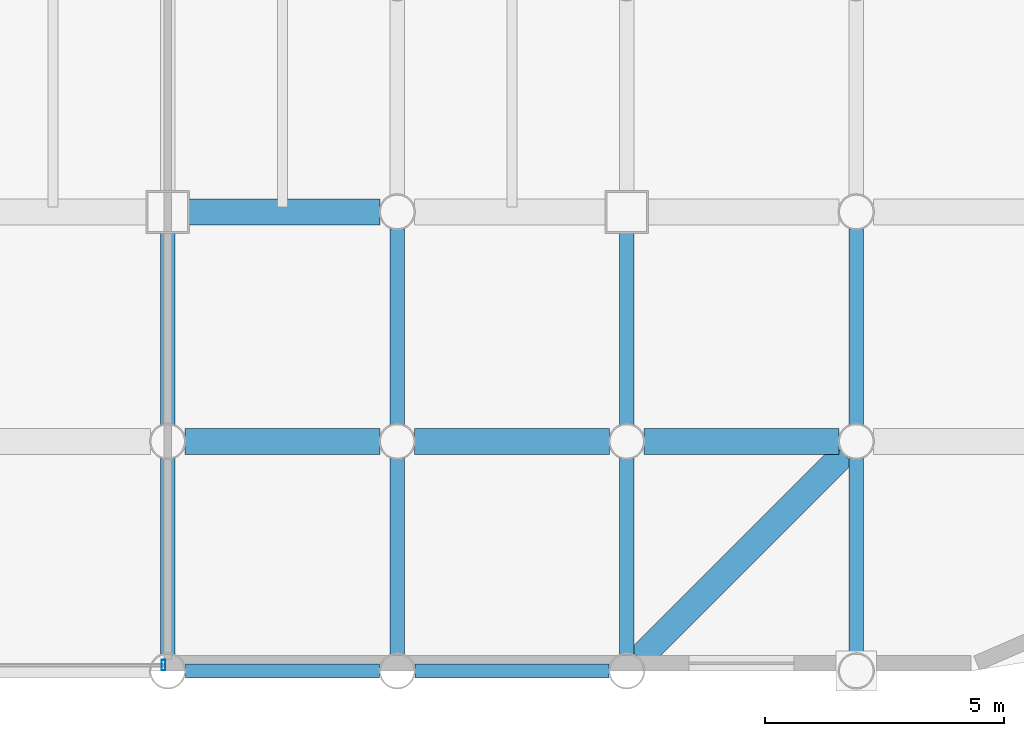
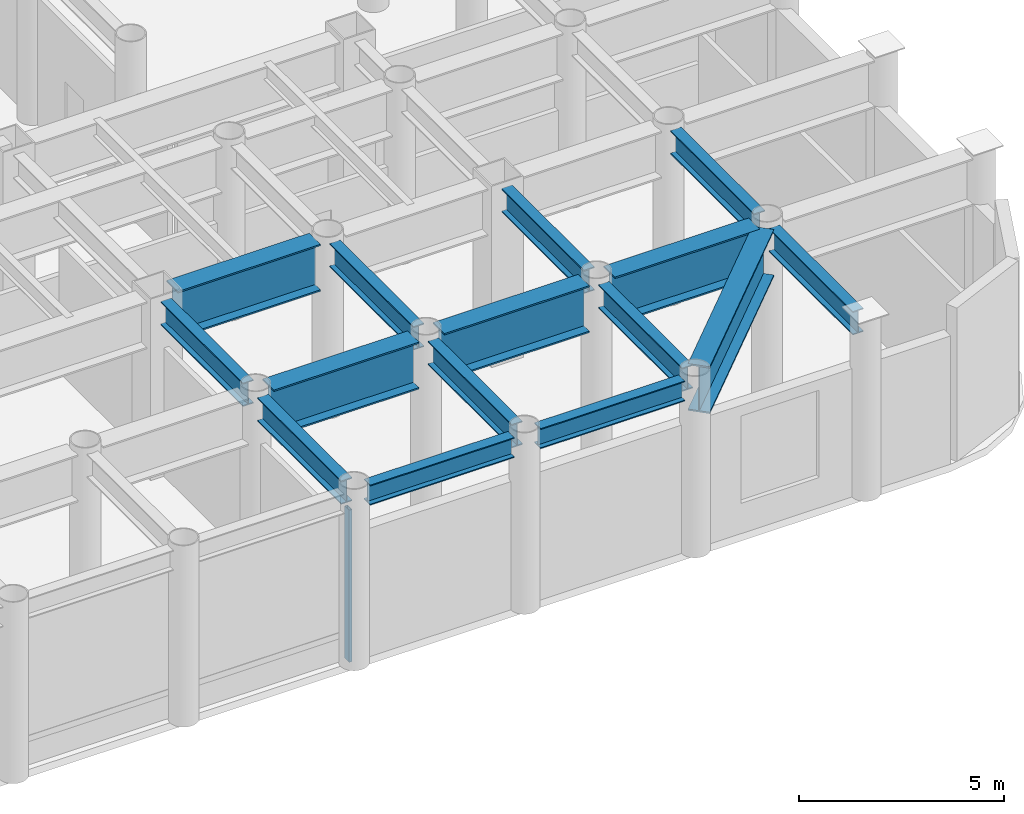
# One storey, part 6 of 20: 15 beams, 1 member, 1 element without a shape of its own.
"""IFC4 building model written with IfcOpenShell, lengths in metres."""

from ifc_helpers import new_model, si_unit, direction, frame, origin, origin_2d, place, context, subcontext, project, spatial, hollow_rectangle, i_section, extrude, material, layer, layer_set, material_profile, profile_set, type_object, element, aggregate, save


model = new_model("IFC4")

# Units and contexts
model_context = context("Model", 3, precision=1e-05, world=origin(), true_north=direction((0.0, 1.0)))
body_context = subcontext(model_context, "Body", "Model", "MODEL_VIEW")
ifc_project = project(units=[si_unit("LENGTHUNIT", "METRE"), si_unit("AREAUNIT", "SQUARE_METRE"), si_unit("VOLUMEUNIT", "CUBIC_METRE"), si_unit("PLANEANGLEUNIT", "RADIAN"), si_unit("MASSUNIT", "GRAM", prefix="KILO")], contexts=[model_context])

# Site, building, storey
site_placement = place(None, origin())
site = spatial("IfcSite", under=ifc_project, at=site_placement, CompositionType="ELEMENT")
building_placement = place(site_placement, origin())
building = spatial("IfcBuilding", under=site, at=building_placement, Name="Kallvorn Hotel Tower", CompositionType="ELEMENT")
storey_placement = place(building_placement, frame((0.0, 0.0, 24.60009765625)))
storey = spatial("IfcBuildingStorey", under=building, at=storey_placement, Name="L04", CompositionType="ELEMENT", Elevation=24.60009765625)

# Beams
ifc_material_1 = material(Name="Structural steel S355JR", Category="steel")
ifc_material_profile_1 = material_profile(ifc_material_1, i_section(OverallWidth=0.300048828125, OverallDepth=0.60009765625, WebThickness=0.015380859375, FlangeThickness=0.030029296875, at=origin_2d()), Name="HE 600 B")
ifc_profile_set_1 = profile_set([ifc_material_profile_1], Name="Structural steel S355JR")
beam_type_1 = type_object("IfcBeamType", Name="BM_HE600B", PredefinedType="SPANDREL", material=ifc_profile_set_1)
beam_1_placement = place(storey_placement, frame((14.77099609375, -24.0, 4.919921875), z_axis=(1.0, 0.0, 0.0), x_axis=(0.0, 1.0, 0.0)))
element("IfcBeam", 1, at=beam_1_placement, inside=storey, type_object=beam_type_1, Name="L05 Perimeter Spandrel 189", PredefinedType="SPANDREL", context=body_context, shape_type="SweptSolid", body=[
    extrude(i_section(OverallWidth=0.300048828125, OverallDepth=0.60009765625, WebThickness=0.015380859375, FlangeThickness=0.030029296875, at=origin_2d()), origin(), (0.0, 0.0, 1.0), 4.05810546875),
])
beam_2_placement = place(storey_placement, frame((19.571044921875, -24.0, 4.919921875), z_axis=(1.0, 0.0, 0.0), x_axis=(0.0, 1.0, 0.0)))
element("IfcBeam", 2, at=beam_2_placement, inside=storey, type_object=beam_type_1, Name="L05 Perimeter Spandrel 190", PredefinedType="SPANDREL", context=body_context, shape_type="SweptSolid", body=[
    extrude(i_section(OverallWidth=0.300048828125, OverallDepth=0.60009765625, WebThickness=0.015380859375, FlangeThickness=0.030029296875, at=origin_2d()), origin(), (0.0, 0.0, 1.0), 4.057861328125),
])
ifc_material_2 = material(Name="Structural steel S355JR", Category="steel")
ifc_material_profile_2 = material_profile(ifc_material_2, i_section(OverallWidth=0.300048828125, OverallDepth=0.699951171875, WebThickness=0.01708984375, FlangeThickness=0.031982421875, at=origin_2d()), Name="HE 700 B")
ifc_profile_set_2 = profile_set([ifc_material_profile_2], Name="Structural steel S355JR")
beam_type_2 = type_object("IfcBeamType", Name="BM_HE700B", PredefinedType="BEAM", material=ifc_profile_set_2)
beam_3_placement = place(storey_placement, frame((14.39990234375, -23.64404296875, 4.869873046875), z_axis=(0.0, 1.0, 0.0), x_axis=(-1.0, 0.0, 0.0)))
element("IfcBeam", 3, at=beam_3_placement, inside=storey, type_object=beam_type_2, Name="L05 Primary Y-Girder 146", PredefinedType="BEAM", context=body_context, shape_type="SweptSolid", body=[
    extrude(i_section(OverallWidth=0.300048828125, OverallDepth=0.699951171875, WebThickness=0.01708984375, FlangeThickness=0.031982421875, at=origin_2d()), origin(), (0.0, 0.0, 1.0), 4.088134765625),
])
beam_4_placement = place(storey_placement, frame((14.39990234375, -18.843994140625, 4.869873046875), z_axis=(0.0, 1.0, 0.0), x_axis=(-1.0, 0.0, 0.0)))
element("IfcBeam", 4, at=beam_4_placement, inside=storey, type_object=beam_type_2, Name="L05 Primary Y-Girder 147", PredefinedType="BEAM", context=body_context, shape_type="SweptSolid", body=[
    extrude(i_section(OverallWidth=0.300048828125, OverallDepth=0.699951171875, WebThickness=0.01708984375, FlangeThickness=0.031982421875, at=origin_2d()), origin(), (0.0, 0.0, 1.0), 4.01904296875),
])
beam_5_placement = place(storey_placement, frame((19.199951171875, -23.64404296875, 4.869873046875), z_axis=(0.0, 1.0, 0.0), x_axis=(-1.0, 0.0, 0.0)))
element("IfcBeam", 5, at=beam_5_placement, inside=storey, type_object=beam_type_2, Name="L05 Primary Y-Girder 152", PredefinedType="BEAM", context=body_context, shape_type="SweptSolid", body=[
    extrude(i_section(OverallWidth=0.300048828125, OverallDepth=0.699951171875, WebThickness=0.01708984375, FlangeThickness=0.031982421875, at=origin_2d()), origin(), (0.0, 0.0, 1.0), 4.088134765625),
])
beam_6_placement = place(storey_placement, frame((19.199951171875, -18.843994140625, 4.869873046875), z_axis=(0.0, 1.0, 0.0), x_axis=(-1.0, 0.0, 0.0)))
element("IfcBeam", 6, at=beam_6_placement, inside=storey, type_object=beam_type_2, Name="L05 Primary Y-Girder 153", PredefinedType="BEAM", context=body_context, shape_type="SweptSolid", body=[
    extrude(i_section(OverallWidth=0.300048828125, OverallDepth=0.699951171875, WebThickness=0.01708984375, FlangeThickness=0.031982421875, at=origin_2d()), origin(), (0.0, 0.0, 1.0), 4.087890625),
])
beam_7_placement = place(storey_placement, frame((24.0, -23.64404296875, 4.869873046875), z_axis=(0.0, 1.0, 0.0), x_axis=(-1.0, 0.0, 0.0)))
element("IfcBeam", 7, at=beam_7_placement, inside=storey, type_object=beam_type_2, Name="L05 Primary Y-Girder 162", PredefinedType="BEAM", context=body_context, shape_type="SweptSolid", body=[
    extrude(i_section(OverallWidth=0.300048828125, OverallDepth=0.699951171875, WebThickness=0.01708984375, FlangeThickness=0.031982421875, at=origin_2d()), origin(), (0.0, 0.0, 1.0), 4.088134765625),
])
beam_8_placement = place(storey_placement, frame((24.0, -18.843994140625, 4.869873046875), z_axis=(0.0, 1.0, 0.0), x_axis=(-1.0, 0.0, 0.0)))
element("IfcBeam", 8, at=beam_8_placement, inside=storey, type_object=beam_type_2, Name="L05 Primary Y-Girder 163", PredefinedType="BEAM", context=body_context, shape_type="SweptSolid", body=[
    extrude(i_section(OverallWidth=0.300048828125, OverallDepth=0.699951171875, WebThickness=0.01708984375, FlangeThickness=0.031982421875, at=origin_2d()), origin(), (0.0, 0.0, 1.0), 4.01904296875),
])
beam_9_placement = place(storey_placement, frame((28.800048828125, -23.64404296875, 4.869873046875), z_axis=(0.0, 1.0, 0.0), x_axis=(-1.0, 0.0, 0.0)))
element("IfcBeam", 9, at=beam_9_placement, inside=storey, type_object=beam_type_2, Name="L05 Primary Y-Girder 170", PredefinedType="BEAM", context=body_context, shape_type="SweptSolid", body=[
    extrude(i_section(OverallWidth=0.300048828125, OverallDepth=0.699951171875, WebThickness=0.01708984375, FlangeThickness=0.031982421875, at=origin_2d()), origin(), (0.0, 0.0, 1.0), 4.088134765625),
])
beam_10_placement = place(storey_placement, frame((28.800048828125, -18.843994140625, 4.869873046875), z_axis=(0.0, 1.0, 0.0), x_axis=(-1.0, 0.0, 0.0)))
element("IfcBeam", 10, at=beam_10_placement, inside=storey, type_object=beam_type_2, Name="L05 Primary Y-Girder 171", PredefinedType="BEAM", context=body_context, shape_type="SweptSolid", body=[
    extrude(i_section(OverallWidth=0.300048828125, OverallDepth=0.699951171875, WebThickness=0.01708984375, FlangeThickness=0.031982421875, at=origin_2d()), origin(), (0.0, 0.0, 1.0), 4.087890625),
])
ifc_material_3 = material(Name="Structural steel S355JR", Category="steel")
ifc_material_profile_3 = material_profile(ifc_material_3, i_section(OverallWidth=0.550048828125, OverallDepth=1.39990234375, WebThickness=0.02490234375, FlangeThickness=0.044921875, at=origin_2d()), Name="PG 1400x550x25x45")
ifc_profile_set_3 = profile_set([ifc_material_profile_3], Name="Structural steel S355JR")
beam_type_3 = type_object("IfcBeamType", Name="BM_PG_1400", PredefinedType="BEAM", material=ifc_profile_set_3)
beam_11_placement = place(storey_placement, frame((14.756103515625, -19.199951171875, 4.52001953125), z_axis=(1.0, 0.0, 0.0), x_axis=(0.0, 1.0, 0.0)))
element("IfcBeam", 11, at=beam_11_placement, inside=storey, type_object=beam_type_3, Name="L05 Primary X-Girder 19", PredefinedType="BEAM", context=body_context, shape_type="SweptSolid", body=[
    extrude(i_section(OverallWidth=0.550048828125, OverallDepth=1.39990234375, WebThickness=0.02490234375, FlangeThickness=0.044921875, at=origin_2d()), origin(), (0.0, 0.0, 1.0), 4.087890625),
])
for number, where, z_axis, x_axis, name in (
    (12, (19.555908203125, -19.199951171875, 4.52001953125), (1.0, 0.0, 0.0), (0.0, 1.0, 0.0), "L05 Primary X-Girder 20"),
    (13, (24.35595703125, -19.199951171875, 4.52001953125), (1.0, 0.0, 0.0), (0.0, 1.0, 0.0), "L05 Primary X-Girder 21"),
):
    element("IfcBeam", number, at=place(storey_placement, frame(where, z_axis=z_axis, x_axis=x_axis)), inside=storey, type_object=beam_type_3, Name=name, PredefinedType="BEAM", context=body_context, shape_type="SweptSolid", body=[
        extrude(i_section(OverallWidth=0.550048828125, OverallDepth=1.39990234375, WebThickness=0.02490234375, FlangeThickness=0.044921875, at=origin_2d()), origin(), (0.0, 0.0, 1.0), 4.088134765625),
    ])
beam_12_placement = place(storey_placement, frame((14.824951171875, -14.39990234375, 4.52001953125), z_axis=(1.0, 0.0, 0.0), x_axis=(0.0, 1.0, 0.0)))
element("IfcBeam", 14, at=beam_12_placement, inside=storey, type_object=beam_type_3, Name="L05 Primary X-Girder 30", PredefinedType="BEAM", context=body_context, shape_type="SweptSolid", body=[
    extrude(i_section(OverallWidth=0.550048828125, OverallDepth=1.39990234375, WebThickness=0.02490234375, FlangeThickness=0.044921875, at=origin_2d()), origin(), (0.0, 0.0, 1.0), 4.01904296875),
])
beam_13_placement = place(storey_placement, frame((28.53759765625, -19.46240234375, 4.52001953125), z_axis=(-0.707106781187, -0.707106781187, 0.0), x_axis=(0.707106781187, -0.707106781187, 0.0)))
element("IfcBeam", 15, at=beam_13_placement, inside=storey, type_object=beam_type_3, Name="L05 Rounded Corner Tie Beam 220", PredefinedType="BEAM", context=body_context, shape_type="SweptSolid", body=[
    extrude(i_section(OverallWidth=0.550048828125, OverallDepth=1.39990234375, WebThickness=0.02490234375, FlangeThickness=0.044921875, at=origin_2d()), origin(), (0.0, 0.0, 1.0), 6.04638671875),
])

# Curtain wall, member
ifc_material_4 = material(Name="Thermally broken black-anodised aluminium AA 6063-T6", Category="aluminium")
ifc_layer = layer(ifc_material_4, 0.219970703125)
ifc_layer_set = layer_set([ifc_layer], Name="CW_SYS_2_PODIUM_CASC")
curtain_wall_type = type_object("IfcCurtainWallType", Name="CW_SYS_2_PODIUM_CASC", PredefinedType="USERDEFINED", material=ifc_layer_set)
curtain_wall_placement = place(storey_placement, origin())
curtain_wall = element("IfcCurtainWall", 16, at=curtain_wall_placement, inside=storey, type_object=curtain_wall_type, Name="L04 Dark-Glass Curtain Wall CW-L04-S3", ObjectType="UNITISED CURTAIN WALL", PredefinedType="USERDEFINED")
ifc_material_5 = material(Name="Thermally broken black-anodised aluminium AA 6063-T6", Category="aluminium")
ifc_material_profile_4 = material_profile(ifc_material_5, hollow_rectangle(XDim=0.080078125, YDim=0.219970703125, WallThickness=0.0048828125, at=origin_2d()), Name="MUL 220x80")
ifc_profile_set_4 = profile_set([ifc_material_profile_4], Name="Thermally broken black-anodised aluminium AA 6063-T6")
member_type = type_object("IfcMemberType", Name="CW_MULLION_220x80", PredefinedType="MULLION", material=ifc_profile_set_4)
member_placement = place(storey_placement, frame((14.31005859375, -23.8798828125, 0.02001953125), z_axis=(0.0, 0.0, 1.0), x_axis=(1.0, 0.0, 0.0)))
member = element("IfcMember", 17, at=member_placement, type_object=member_type, Name="CW-L04-S3 Mullion 01", PredefinedType="MULLION", context=body_context, shape_type="SweptSolid", body=[
    extrude(hollow_rectangle(XDim=0.080078125, YDim=0.219970703125, WallThickness=0.0048828125, at=origin_2d()), origin(), (0.0, 0.0, 1.0), 4.52978515625),
])
aggregate(curtain_wall, [member])

save(model, "model.ifc")
